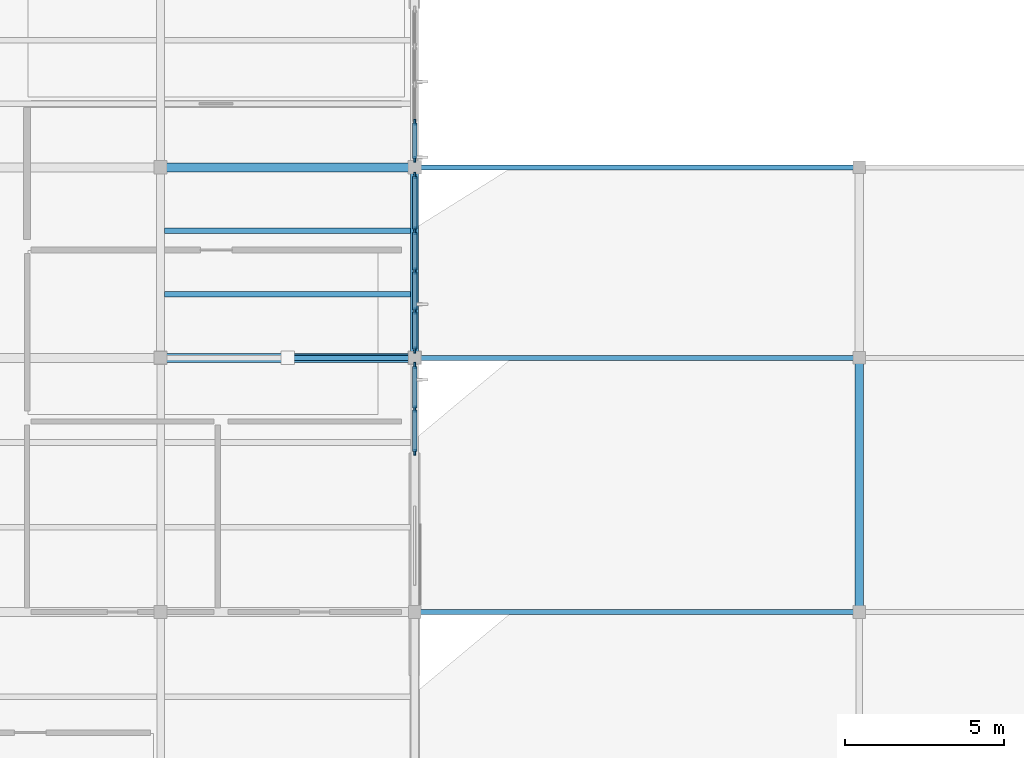
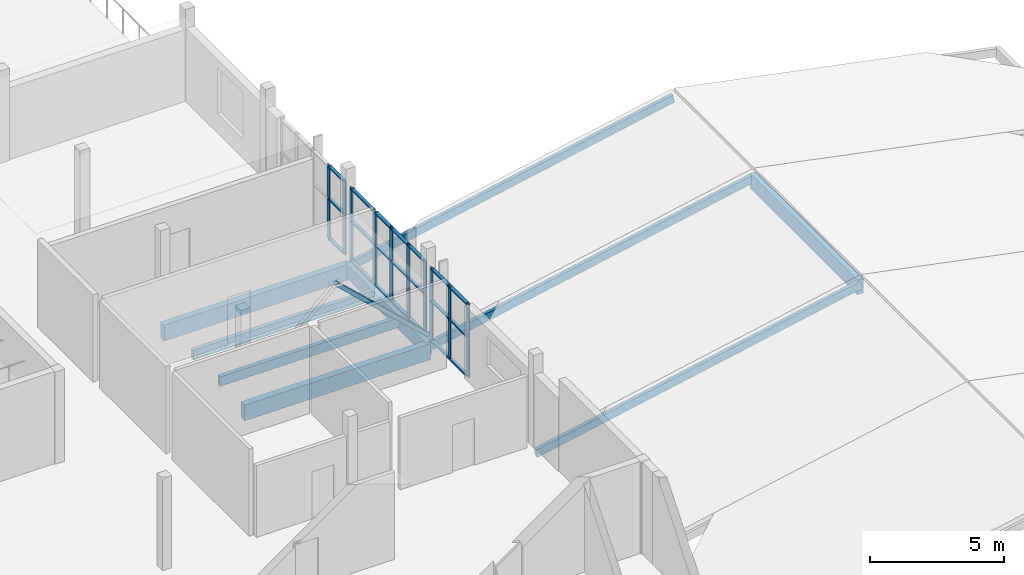
# One storey, part 21 of 45: 33 members, 9 beams, 4 elements without a shape of their own.
"""IFC4 building model written with IfcOpenShell, lengths in metres."""

from ifc_helpers import new_model, si_unit, direction, frame, origin, origin_2d, place, context, subcontext, project, spatial, rectangle, hollow_rectangle, extrude, material, layer, layer_set, material_profile, profile_set, type_object, element, aggregate, save


model = new_model("IFC4")

# Units and contexts
model_context = context("Model", 3, precision=1e-05, world=origin(), true_north=direction((0.0, 1.0)))
body_context = subcontext(model_context, "Body", "Model", "MODEL_VIEW")
ifc_project = project(units=[si_unit("LENGTHUNIT", "METRE"), si_unit("AREAUNIT", "SQUARE_METRE"), si_unit("VOLUMEUNIT", "CUBIC_METRE"), si_unit("PLANEANGLEUNIT", "RADIAN"), si_unit("MASSUNIT", "GRAM", prefix="KILO")], contexts=[model_context])

# Site, building, storey
site_placement = place(None, origin())
site = spatial("IfcSite", under=ifc_project, at=site_placement, CompositionType="ELEMENT")
building_placement = place(site_placement, origin())
building = spatial("IfcBuilding", under=site, at=building_placement, Name="Solvane Community Centre", CompositionType="ELEMENT")
storey_placement = place(building_placement, frame((0.0, 0.0, 13.800048828125)))
storey = spatial("IfcBuildingStorey", under=building, at=storey_placement, Name="L03", CompositionType="ELEMENT", Elevation=13.800048828125)

# Curtain wall, members
ifc_material_1 = material(Name="Anodised bronze aluminium AW-6063 T6", Category="aluminium")
ifc_layer_1 = layer(ifc_material_1, 0.199951171875)
ifc_layer_set_1 = layer_set([ifc_layer_1], Name="Anodised bronze aluminium AW-6063 T6")
curtain_wall_type_1 = type_object("IfcCurtainWallType", Name="Courtyard Cloister Curtain Wall [48x33dm]", PredefinedType="NOTDEFINED", material=ifc_layer_set_1)
curtain_wall_1_placement = place(storey_placement, origin())
curtain_wall_1 = element("IfcCurtainWall", 1, at=curtain_wall_1_placement, inside=storey, type_object=curtain_wall_type_1, Name="Curtain Wall CW-L03-1400_410-227", PredefinedType="NOTDEFINED")
ifc_material_profile_1 = material_profile(ifc_material_1, rectangle(XDim=0.06005859375, YDim=0.199951171875, at=origin_2d()), Name="CW-M 60x200")
ifc_profile_set_1 = profile_set([ifc_material_profile_1], Name="Anodised bronze aluminium AW-6063 T6")
member_type_1 = type_object("IfcMemberType", Name="Cloister Mullion 60x200", PredefinedType="MULLION", material=ifc_profile_set_1)
member_1_placement = place(storey_placement, frame((140.0, 37.418701171875, 0.0), z_axis=(0.0, 0.0, 1.0), x_axis=(1.0, 0.0, 0.0)))
member_1 = element("IfcMember", 2, at=member_1_placement, type_object=member_type_1, Name="CW03-48x33 mullion 4", PredefinedType="MULLION", context=body_context, shape_type="SweptSolid", body=[
    extrude(rectangle(XDim=0.06005859375, YDim=0.199951171875, at=origin_2d()), origin(), (0.0, 0.0, 1.0), 3.344970703125),
])
member_2_placement = place(storey_placement, frame((140.0, 36.2548828125, 0.0), z_axis=(0.0, 0.0, 1.0), x_axis=(1.0, 0.0, 0.0)))
member_2 = element("IfcMember", 3, at=member_2_placement, type_object=member_type_1, Name="CW03-48x33 mullion 5", PredefinedType="MULLION", context=body_context, shape_type="SweptSolid", body=[
    extrude(rectangle(XDim=0.06005859375, YDim=0.199951171875, at=origin_2d()), origin(), (0.0, 0.0, 1.0), 3.344970703125),
])

ifc_layer_2 = layer(ifc_material_1, 0.199951171875)
ifc_layer_set_2 = layer_set([ifc_layer_2], Name="Anodised bronze aluminium AW-6063 T6")
curtain_wall_type_2 = type_object("IfcCurtainWallType", Name="Courtyard Cloister Curtain Wall [18x33dm]", PredefinedType="NOTDEFINED", material=ifc_layer_set_2)
curtain_wall_2_placement = place(storey_placement, origin())
curtain_wall_2 = element("IfcCurtainWall", 4, at=curtain_wall_2_placement, inside=storey, type_object=curtain_wall_type_2, Name="Curtain Wall CW-L03-1400_358-228", PredefinedType="NOTDEFINED")
member_3_placement = place(storey_placement, frame((140.0, 35.7451171875, 0.0), z_axis=(0.0, 0.0, 1.0), x_axis=(1.0, 0.0, 0.0)))
member_3 = element("IfcMember", 5, at=member_3_placement, type_object=member_type_1, Name="CW03-18x33 mullion 1", PredefinedType="MULLION", context=body_context, shape_type="SweptSolid", body=[
    extrude(rectangle(XDim=0.06005859375, YDim=0.199951171875, at=origin_2d()), origin(), (0.0, 0.0, 1.0), 3.344970703125),
])
member_4_placement = place(storey_placement, frame((140.0, 34.030029296875, 0.0), z_axis=(0.0, 0.0, 1.0), x_axis=(1.0, 0.0, 0.0)))
member_4 = element("IfcMember", 6, at=member_4_placement, type_object=member_type_1, Name="CW03-18x33 mullion 2", PredefinedType="MULLION", context=body_context, shape_type="SweptSolid", body=[
    extrude(rectangle(XDim=0.06005859375, YDim=0.199951171875, at=origin_2d()), origin(), (0.0, 0.0, 1.0), 3.344970703125),
])

ifc_layer_3 = layer(ifc_material_1, 0.199951171875)
ifc_layer_set_3 = layer_set([ifc_layer_3], Name="Anodised bronze aluminium AW-6063 T6")
curtain_wall_type_3 = type_object("IfcCurtainWallType", Name="Courtyard Cloister Curtain Wall [38x33dm]", PredefinedType="NOTDEFINED", material=ifc_layer_set_3)
curtain_wall_3_placement = place(storey_placement, origin())
curtain_wall_3 = element("IfcCurtainWall", 7, at=curtain_wall_3_placement, inside=storey, type_object=curtain_wall_type_3, Name="Curtain Wall CW-L03-1400_340-229", PredefinedType="NOTDEFINED")
member_5_placement = place(storey_placement, frame((140.0, 33.969970703125, 0.0), z_axis=(0.0, 0.0, 1.0), x_axis=(1.0, 0.0, 0.0)))
member_5 = element("IfcMember", 8, at=member_5_placement, type_object=member_type_1, Name="CW03-38x33 mullion 1", PredefinedType="MULLION", context=body_context, shape_type="SweptSolid", body=[
    extrude(rectangle(XDim=0.06005859375, YDim=0.199951171875, at=origin_2d()), origin(), (0.0, 0.0, 1.0), 3.344970703125),
])
member_6_placement = place(storey_placement, frame((140.0, 32.73828125, 0.0), z_axis=(0.0, 0.0, 1.0), x_axis=(1.0, 0.0, 0.0)))
member_6 = element("IfcMember", 9, at=member_6_placement, type_object=member_type_1, Name="CW03-38x33 mullion 2", PredefinedType="MULLION", context=body_context, shape_type="SweptSolid", body=[
    extrude(rectangle(XDim=0.06005859375, YDim=0.199951171875, at=origin_2d()), origin(), (0.0, 0.0, 1.0), 3.344970703125),
])
member_7_placement = place(storey_placement, frame((140.0, 31.4765625, 0.0), z_axis=(0.0, 0.0, 1.0), x_axis=(1.0, 0.0, 0.0)))
member_7 = element("IfcMember", 10, at=member_7_placement, type_object=member_type_1, Name="CW03-38x33 mullion 3", PredefinedType="MULLION", context=body_context, shape_type="SweptSolid", body=[
    extrude(rectangle(XDim=0.06005859375, YDim=0.199951171875, at=origin_2d()), origin(), (0.0, 0.0, 1.0), 3.344970703125),
])
member_8_placement = place(storey_placement, frame((140.0, 30.2451171875, 0.0), z_axis=(0.0, 0.0, 1.0), x_axis=(1.0, 0.0, 0.0)))
member_8 = element("IfcMember", 11, at=member_8_placement, type_object=member_type_1, Name="CW03-38x33 mullion 4", PredefinedType="MULLION", context=body_context, shape_type="SweptSolid", body=[
    extrude(rectangle(XDim=0.06005859375, YDim=0.199951171875, at=origin_2d()), origin(), (0.0, 0.0, 1.0), 3.344970703125),
])

ifc_layer_4 = layer(ifc_material_1, 0.199951171875)
ifc_layer_set_4 = layer_set([ifc_layer_4], Name="Anodised bronze aluminium AW-6063 T6")
curtain_wall_type_4 = type_object("IfcCurtainWallType", Name="Courtyard Cloister Curtain Wall [28x33dm]", PredefinedType="NOTDEFINED", material=ifc_layer_set_4)
curtain_wall_4_placement = place(storey_placement, origin())
curtain_wall_4 = element("IfcCurtainWall", 12, at=curtain_wall_4_placement, inside=storey, type_object=curtain_wall_type_4, Name="Curtain Wall CW-L03-1400_298-230", PredefinedType="NOTDEFINED")
member_9_placement = place(storey_placement, frame((140.0, 29.7548828125, 0.0), z_axis=(0.0, 0.0, 1.0), x_axis=(1.0, 0.0, 0.0)))
member_9 = element("IfcMember", 13, at=member_9_placement, type_object=member_type_1, Name="CW03-28x33 mullion 1", PredefinedType="MULLION", context=body_context, shape_type="SweptSolid", body=[
    extrude(rectangle(XDim=0.06005859375, YDim=0.199951171875, at=origin_2d()), origin(), (0.0, 0.0, 1.0), 3.324951171875),
])
member_10_placement = place(storey_placement, frame((140.0, 28.392578125, 0.0), z_axis=(0.0, 0.0, 1.0), x_axis=(1.0, 0.0, 0.0)))
member_10 = element("IfcMember", 14, at=member_10_placement, type_object=member_type_1, Name="CW03-28x33 mullion 2", PredefinedType="MULLION", context=body_context, shape_type="SweptSolid", body=[
    extrude(rectangle(XDim=0.06005859375, YDim=0.199951171875, at=origin_2d()), origin(), (0.0, 0.0, 1.0), 3.324951171875),
])
member_11_placement = place(storey_placement, frame((140.0, 27.030029296875, 0.0), z_axis=(0.0, 0.0, 1.0), x_axis=(1.0, 0.0, 0.0)))
member_11 = element("IfcMember", 15, at=member_11_placement, type_object=member_type_1, Name="CW03-28x33 mullion 3", PredefinedType="MULLION", context=body_context, shape_type="SweptSolid", body=[
    extrude(rectangle(XDim=0.06005859375, YDim=0.199951171875, at=origin_2d()), origin(), (0.0, 0.0, 1.0), 3.324951171875),
])

# Member
ifc_material_profile_2 = material_profile(ifc_material_1, rectangle(XDim=0.139892578125, YDim=0.06005859375, at=origin_2d()), Name="CW-T 60x140")
ifc_profile_set_2 = profile_set([ifc_material_profile_2], Name="Anodised bronze aluminium AW-6063 T6")
member_type_2 = type_object("IfcMemberType", Name="Cloister Transom 60x140", PredefinedType="USERDEFINED", material=ifc_profile_set_2)
member_12_placement = place(storey_placement, frame((140.0, 37.388671875, 0.030029296875), z_axis=(0.0, -1.0, 0.0), x_axis=(1.0, 0.0, 0.0)))
member_12 = element("IfcMember", 16, at=member_12_placement, type_object=member_type_2, Name="CW03-48x33 transom 4.1", ObjectType="TRANSOM", PredefinedType="USERDEFINED", context=body_context, shape_type="SweptSolid", body=[
    extrude(rectangle(XDim=0.139892578125, YDim=0.06005859375, at=origin_2d()), origin(), (0.0, 0.0, 1.0), 1.103759765625),
])

member_13_placement = place(storey_placement, frame((140.0, 37.388671875, 1.83984375), z_axis=(0.0, -1.0, 0.0), x_axis=(1.0, 0.0, 0.0)))
member_13 = element("IfcMember", 17, at=member_13_placement, type_object=member_type_2, Name="CW03-48x33 transom 4.2", ObjectType="TRANSOM", PredefinedType="USERDEFINED", context=body_context, shape_type="SweptSolid", body=[
    extrude(rectangle(XDim=0.139892578125, YDim=0.06005859375, at=origin_2d()), origin(), (0.0, 0.0, 1.0), 1.103759765625),
])

member_14_placement = place(storey_placement, frame((140.0, 37.388671875, 3.31494140625), z_axis=(0.0, -1.0, 0.0), x_axis=(1.0, 0.0, 0.0)))
member_14 = element("IfcMember", 18, at=member_14_placement, type_object=member_type_2, Name="CW03-48x33 transom 4.3", ObjectType="TRANSOM", PredefinedType="USERDEFINED", context=body_context, shape_type="SweptSolid", body=[
    extrude(rectangle(XDim=0.139892578125, YDim=0.06005859375, at=origin_2d()), origin(), (0.0, 0.0, 1.0), 1.103759765625),
])

aggregate(curtain_wall_1, [member_1, member_2, member_12, member_13, member_14])

member_15_placement = place(storey_placement, frame((140.0, 35.715087890625, 0.030029296875), z_axis=(0.0, -1.0, 0.0), x_axis=(1.0, 0.0, 0.0)))
member_15 = element("IfcMember", 19, at=member_15_placement, type_object=member_type_2, Name="CW03-18x33 transom 1.1", ObjectType="TRANSOM", PredefinedType="USERDEFINED", context=body_context, shape_type="SweptSolid", body=[
    extrude(rectangle(XDim=0.139892578125, YDim=0.06005859375, at=origin_2d()), origin(), (0.0, 0.0, 1.0), 1.655029296875),
])

member_16_placement = place(storey_placement, frame((140.0, 35.715087890625, 1.83984375), z_axis=(0.0, -1.0, 0.0), x_axis=(1.0, 0.0, 0.0)))
member_16 = element("IfcMember", 20, at=member_16_placement, type_object=member_type_2, Name="CW03-18x33 transom 1.2", ObjectType="TRANSOM", PredefinedType="USERDEFINED", context=body_context, shape_type="SweptSolid", body=[
    extrude(rectangle(XDim=0.139892578125, YDim=0.06005859375, at=origin_2d()), origin(), (0.0, 0.0, 1.0), 1.655029296875),
])

member_17_placement = place(storey_placement, frame((140.0, 35.715087890625, 3.31494140625), z_axis=(0.0, -1.0, 0.0), x_axis=(1.0, 0.0, 0.0)))
member_17 = element("IfcMember", 21, at=member_17_placement, type_object=member_type_2, Name="CW03-18x33 transom 1.3", ObjectType="TRANSOM", PredefinedType="USERDEFINED", context=body_context, shape_type="SweptSolid", body=[
    extrude(rectangle(XDim=0.139892578125, YDim=0.06005859375, at=origin_2d()), origin(), (0.0, 0.0, 1.0), 1.655029296875),
])

aggregate(curtain_wall_2, [member_3, member_4, member_15, member_16, member_17])

member_18_placement = place(storey_placement, frame((140.0, 33.93994140625, 0.030029296875), z_axis=(0.0, -1.0, 0.0), x_axis=(1.0, 0.0, 0.0)))
member_18 = element("IfcMember", 22, at=member_18_placement, type_object=member_type_2, Name="CW03-38x33 transom 1.1", ObjectType="TRANSOM", PredefinedType="USERDEFINED", context=body_context, shape_type="SweptSolid", body=[
    extrude(rectangle(XDim=0.139892578125, YDim=0.06005859375, at=origin_2d()), origin(), (0.0, 0.0, 1.0), 1.171630859375),
])

member_19_placement = place(storey_placement, frame((140.0, 33.93994140625, 1.83984375), z_axis=(0.0, -1.0, 0.0), x_axis=(1.0, 0.0, 0.0)))
member_19 = element("IfcMember", 23, at=member_19_placement, type_object=member_type_2, Name="CW03-38x33 transom 1.2", ObjectType="TRANSOM", PredefinedType="USERDEFINED", context=body_context, shape_type="SweptSolid", body=[
    extrude(rectangle(XDim=0.139892578125, YDim=0.06005859375, at=origin_2d()), origin(), (0.0, 0.0, 1.0), 1.171630859375),
])

member_20_placement = place(storey_placement, frame((140.0, 33.93994140625, 3.31494140625), z_axis=(0.0, -1.0, 0.0), x_axis=(1.0, 0.0, 0.0)))
member_20 = element("IfcMember", 24, at=member_20_placement, type_object=member_type_2, Name="CW03-38x33 transom 1.3", ObjectType="TRANSOM", PredefinedType="USERDEFINED", context=body_context, shape_type="SweptSolid", body=[
    extrude(rectangle(XDim=0.139892578125, YDim=0.06005859375, at=origin_2d()), origin(), (0.0, 0.0, 1.0), 1.171630859375),
])

member_21_placement = place(storey_placement, frame((140.0, 32.708251953125, 0.030029296875), z_axis=(0.0, -1.0, 0.0), x_axis=(1.0, 0.0, 0.0)))
member_21 = element("IfcMember", 25, at=member_21_placement, type_object=member_type_2, Name="CW03-38x33 transom 2.1", ObjectType="TRANSOM", PredefinedType="USERDEFINED", context=body_context, shape_type="SweptSolid", body=[
    extrude(rectangle(XDim=0.139892578125, YDim=0.06005859375, at=origin_2d()), origin(), (0.0, 0.0, 1.0), 1.20166015625),
])

member_22_placement = place(storey_placement, frame((140.0, 32.708251953125, 1.83984375), z_axis=(0.0, -1.0, 0.0), x_axis=(1.0, 0.0, 0.0)))
member_22 = element("IfcMember", 26, at=member_22_placement, type_object=member_type_2, Name="CW03-38x33 transom 2.2", ObjectType="TRANSOM", PredefinedType="USERDEFINED", context=body_context, shape_type="SweptSolid", body=[
    extrude(rectangle(XDim=0.139892578125, YDim=0.06005859375, at=origin_2d()), origin(), (0.0, 0.0, 1.0), 1.20166015625),
])

member_23_placement = place(storey_placement, frame((140.0, 32.708251953125, 3.31494140625), z_axis=(0.0, -1.0, 0.0), x_axis=(1.0, 0.0, 0.0)))
member_23 = element("IfcMember", 27, at=member_23_placement, type_object=member_type_2, Name="CW03-38x33 transom 2.3", ObjectType="TRANSOM", PredefinedType="USERDEFINED", context=body_context, shape_type="SweptSolid", body=[
    extrude(rectangle(XDim=0.139892578125, YDim=0.06005859375, at=origin_2d()), origin(), (0.0, 0.0, 1.0), 1.20166015625),
])

member_24_placement = place(storey_placement, frame((140.0, 31.44677734375, 0.030029296875), z_axis=(0.0, -1.0, 0.0), x_axis=(1.0, 0.0, 0.0)))
member_24 = element("IfcMember", 28, at=member_24_placement, type_object=member_type_2, Name="CW03-38x33 transom 3.1", ObjectType="TRANSOM", PredefinedType="USERDEFINED", context=body_context, shape_type="SweptSolid", body=[
    extrude(rectangle(XDim=0.139892578125, YDim=0.06005859375, at=origin_2d()), origin(), (0.0, 0.0, 1.0), 1.171875),
])

member_25_placement = place(storey_placement, frame((140.0, 31.44677734375, 1.83984375), z_axis=(0.0, -1.0, 0.0), x_axis=(1.0, 0.0, 0.0)))
member_25 = element("IfcMember", 29, at=member_25_placement, type_object=member_type_2, Name="CW03-38x33 transom 3.2", ObjectType="TRANSOM", PredefinedType="USERDEFINED", context=body_context, shape_type="SweptSolid", body=[
    extrude(rectangle(XDim=0.139892578125, YDim=0.06005859375, at=origin_2d()), origin(), (0.0, 0.0, 1.0), 1.171875),
])

member_26_placement = place(storey_placement, frame((140.0, 31.44677734375, 3.31494140625), z_axis=(0.0, -1.0, 0.0), x_axis=(1.0, 0.0, 0.0)))
member_26 = element("IfcMember", 30, at=member_26_placement, type_object=member_type_2, Name="CW03-38x33 transom 3.3", ObjectType="TRANSOM", PredefinedType="USERDEFINED", context=body_context, shape_type="SweptSolid", body=[
    extrude(rectangle(XDim=0.139892578125, YDim=0.06005859375, at=origin_2d()), origin(), (0.0, 0.0, 1.0), 1.171875),
])

aggregate(curtain_wall_3, [member_5, member_6, member_7, member_8, member_18, member_19, member_20, member_21, member_22, member_23, member_24, member_25, member_26])

member_27_placement = place(storey_placement, frame((140.0, 29.72509765625, 0.030029296875), z_axis=(0.0, -1.0, 0.0), x_axis=(1.0, 0.0, 0.0)))
member_27 = element("IfcMember", 31, at=member_27_placement, type_object=member_type_2, Name="CW03-28x33 transom 1.1", ObjectType="TRANSOM", PredefinedType="USERDEFINED", context=body_context, shape_type="SweptSolid", body=[
    extrude(rectangle(XDim=0.139892578125, YDim=0.06005859375, at=origin_2d()), origin(), (0.0, 0.0, 1.0), 1.302490234375),
])

member_28_placement = place(storey_placement, frame((140.0, 29.72509765625, 1.828857421875), z_axis=(0.0, -1.0, 0.0), x_axis=(1.0, 0.0, 0.0)))
member_28 = element("IfcMember", 32, at=member_28_placement, type_object=member_type_2, Name="CW03-28x33 transom 1.2", ObjectType="TRANSOM", PredefinedType="USERDEFINED", context=body_context, shape_type="SweptSolid", body=[
    extrude(rectangle(XDim=0.139892578125, YDim=0.06005859375, at=origin_2d()), origin(), (0.0, 0.0, 1.0), 1.302490234375),
])

member_29_placement = place(storey_placement, frame((140.0, 29.72509765625, 3.294921875), z_axis=(0.0, -1.0, 0.0), x_axis=(1.0, 0.0, 0.0)))
member_29 = element("IfcMember", 33, at=member_29_placement, type_object=member_type_2, Name="CW03-28x33 transom 1.3", ObjectType="TRANSOM", PredefinedType="USERDEFINED", context=body_context, shape_type="SweptSolid", body=[
    extrude(rectangle(XDim=0.139892578125, YDim=0.06005859375, at=origin_2d()), origin(), (0.0, 0.0, 1.0), 1.302490234375),
])

member_30_placement = place(storey_placement, frame((140.0, 28.362548828125, 0.030029296875), z_axis=(0.0, -1.0, 0.0), x_axis=(1.0, 0.0, 0.0)))
member_30 = element("IfcMember", 34, at=member_30_placement, type_object=member_type_2, Name="CW03-28x33 transom 2.1", ObjectType="TRANSOM", PredefinedType="USERDEFINED", context=body_context, shape_type="SweptSolid", body=[
    extrude(rectangle(XDim=0.139892578125, YDim=0.06005859375, at=origin_2d()), origin(), (0.0, 0.0, 1.0), 1.302490234375),
])

member_31_placement = place(storey_placement, frame((140.0, 28.362548828125, 1.828857421875), z_axis=(0.0, -1.0, 0.0), x_axis=(1.0, 0.0, 0.0)))
member_31 = element("IfcMember", 35, at=member_31_placement, type_object=member_type_2, Name="CW03-28x33 transom 2.2", ObjectType="TRANSOM", PredefinedType="USERDEFINED", context=body_context, shape_type="SweptSolid", body=[
    extrude(rectangle(XDim=0.139892578125, YDim=0.06005859375, at=origin_2d()), origin(), (0.0, 0.0, 1.0), 1.302490234375),
])

member_32_placement = place(storey_placement, frame((140.0, 28.362548828125, 3.294921875), z_axis=(0.0, -1.0, 0.0), x_axis=(1.0, 0.0, 0.0)))
member_32 = element("IfcMember", 36, at=member_32_placement, type_object=member_type_2, Name="CW03-28x33 transom 2.3", ObjectType="TRANSOM", PredefinedType="USERDEFINED", context=body_context, shape_type="SweptSolid", body=[
    extrude(rectangle(XDim=0.139892578125, YDim=0.06005859375, at=origin_2d()), origin(), (0.0, 0.0, 1.0), 1.302490234375),
])

aggregate(curtain_wall_4, [member_9, member_10, member_11, member_27, member_28, member_29, member_30, member_31, member_32])

# Beams
ifc_material_2 = material(Name="Glulam GL28h", Category="wood")
ifc_material_profile_3 = material_profile(ifc_material_2, rectangle(XDim=0.25, YDim=0.6201171875, at=origin_2d()), Name="GL28h 250x620")
ifc_profile_set_3 = profile_set([ifc_material_profile_3], Name="Glulam GL28h")
beam_type_1 = type_object("IfcBeamType", Name="Glulam Bay Beam 250x620", PredefinedType="BEAM", material=ifc_profile_set_3)
beam_1_placement = place(storey_placement, frame((140.0, 30.0, -0.530029296875), z_axis=(0.0, 1.0, 0.0), x_axis=(-1.0, 0.0, 0.0)))
element("IfcBeam", 37, at=beam_1_placement, inside=storey, type_object=beam_type_1, Name="Beam BM-L03-1400_300-1400_360", PredefinedType="BEAM", context=body_context, shape_type="SweptSolid", body=[
    extrude(rectangle(XDim=0.25, YDim=0.6201171875, at=origin_2d()), origin(), (0.0, 0.0, 1.0), 6.0),
])
ifc_material_profile_4 = material_profile(ifc_material_2, rectangle(XDim=0.179931640625, YDim=0.43994140625, at=origin_2d()), Name="GL28h 180x440")
ifc_profile_set_4 = profile_set([ifc_material_profile_4], Name="Glulam GL28h")
beam_type_2 = type_object("IfcBeamType", Name="Glulam Floor Joist 180x440", PredefinedType="JOIST", material=ifc_profile_set_4)
for number, where, z_axis, x_axis, name in (
    (38, (132.1298828125, 32.0, -0.43994140625), (1.0, 0.0, 0.0), (0.0, 1.0, 0.0), "Beam BM-L03-1321_320-1399_320"),
    (39, (132.1298828125, 34.0, -0.43994140625), (1.0, 0.0, 0.0), (0.0, 1.0, 0.0), "Beam BM-L03-1321_340-1399_340"),
):
    element("IfcBeam", number, at=place(storey_placement, frame(where, z_axis=z_axis, x_axis=x_axis)), inside=storey, type_object=beam_type_2, Name=name, PredefinedType="JOIST", context=body_context, shape_type="SweptSolid", body=[
        extrude(rectangle(XDim=0.179931640625, YDim=0.43994140625, at=origin_2d()), origin(), (0.0, 0.0, 1.0), 7.740234375),
    ])
ifc_material_profile_5 = material_profile(ifc_material_2, rectangle(XDim=0.280029296875, YDim=0.719970703125, at=origin_2d()), Name="GL28h 280x720")
ifc_profile_set_5 = profile_set([ifc_material_profile_5], Name="Glulam GL28h")
beam_type_3 = type_object("IfcBeamType", Name="Glulam Long-Span Girder 280x720", PredefinedType="USERDEFINED", material=ifc_profile_set_5)
for number, where, z_axis, x_axis, name in (
    (40, (132.0, 30.0, -0.580078125), (1.0, 0.0, 0.0), (0.0, 1.0, 0.0), "Beam BM-L03-1320_300-1400_300"),
    (41, (132.0, 36.0, -0.580078125), (1.0, 0.0, 0.0), (0.0, 1.0, 0.0), "Beam BM-L03-1320_360-1400_360"),
):
    element("IfcBeam", number, at=place(storey_placement, frame(where, z_axis=z_axis, x_axis=x_axis)), inside=storey, type_object=beam_type_3, Name=name, ObjectType="GIRDER", PredefinedType="USERDEFINED", context=body_context, shape_type="SweptSolid", body=[
        extrude(rectangle(XDim=0.280029296875, YDim=0.719970703125, at=origin_2d()), origin(), (0.0, 0.0, 1.0), 8.0),
    ])
ifc_material_profile_6 = material_profile(ifc_material_2, rectangle(XDim=0.260009765625, YDim=0.679931640625, at=origin_2d()), Name="GL28h 260x680")
ifc_profile_set_6 = profile_set([ifc_material_profile_6], Name="Glulam GL28h")
beam_type_4 = type_object("IfcBeamType", Name="Glulam Primary Girder 260x680", PredefinedType="USERDEFINED", material=ifc_profile_set_6)
beam_2_placement = place(storey_placement, frame((154.0, 22.0, 2.260009765625), z_axis=(0.0, 1.0, 0.0), x_axis=(-1.0, 0.0, 0.0)))
element("IfcBeam", 42, at=beam_2_placement, inside=storey, type_object=beam_type_4, Name="Beam BM-L03-1540_220-1540_300", ObjectType="GIRDER", PredefinedType="USERDEFINED", context=body_context, shape_type="SweptSolid", body=[
    extrude(rectangle(XDim=0.260009765625, YDim=0.679931640625, at=origin_2d()), origin(), (0.0, 0.0, 1.0), 8.0),
])
ifc_material_profile_7 = material_profile(ifc_material_2, rectangle(XDim=0.159912109375, YDim=0.360107421875, at=origin_2d()), Name="GL28h 160x360")
ifc_profile_set_7 = profile_set([ifc_material_profile_7], Name="Glulam GL28h")
beam_type_5 = type_object("IfcBeamType", Name="Glulam Roof Rafter 160x360", PredefinedType="BEAM", material=ifc_profile_set_7)
for number, where, z_axis, x_axis, name in (
    (43, (140.0, 22.0, -0.425048828125), (0.980580017995, 0.0, 0.196119423591), (0.0, 1.0, 0.0), "Beam BM-L03-1400_220-1540_220"),
    (44, (140.0, 30.0, -0.425048828125), (0.980580017995, 0.0, 0.196119423591), (0.0, 1.0, 0.0), "Beam BM-L03-1400_300-1540_300"),
    (45, (140.0, 36.0, -0.425048828125), (0.980580017995, 0.0, 0.196119423591), (0.0, 1.0, 0.0), "Beam BM-L03-1400_360-1540_360"),
):
    element("IfcBeam", number, at=place(storey_placement, frame(where, z_axis=z_axis, x_axis=x_axis)), inside=storey, type_object=beam_type_5, Name=name, PredefinedType="BEAM", context=body_context, shape_type="SweptSolid", body=[
        extrude(rectangle(XDim=0.159912109375, YDim=0.360107421875, at=origin_2d()), origin(), (0.0, 0.0, 1.0), 14.27734375),
    ])

# Member
ifc_material_3 = material(Name="Steel ASTM A572 Grade 50", Category="steel")
ifc_material_profile_8 = material_profile(ifc_material_3, hollow_rectangle(XDim=0.177734375, YDim=0.177734375, WallThickness=0.009521484375, InnerFilletRadius=0.009521484375, OuterFilletRadius=0.01904296875, at=origin_2d()), Name="HSS 178x178x9.5")
ifc_profile_set_8 = profile_set([ifc_material_profile_8], Name="Steel ASTM A572 Grade 50")
member_type_3 = type_object("IfcMemberType", Name="Upper Timber Frame Brace HSS178", PredefinedType="BRACE", material=ifc_profile_set_8)
member_33_placement = place(storey_placement, frame((140.0, 30.0, 0.119873046875), z_axis=(-0.730448607788, 0.0, 0.68296766496), x_axis=(0.0, -1.0, 0.0)))
element("IfcMember", 46, at=member_33_placement, inside=storey, type_object=member_type_3, Name="Member MEM-L03-0387", PredefinedType="BRACE", context=body_context, shape_type="SweptSolid", body=[
    extrude(hollow_rectangle(XDim=0.177734375, YDim=0.177734375, WallThickness=0.009521484375, InnerFilletRadius=0.009521484375, OuterFilletRadius=0.01904296875, at=origin_2d()), origin(), (0.0, 0.0, 1.0), 5.47607421875),
])

save(model, "model.ifc")
